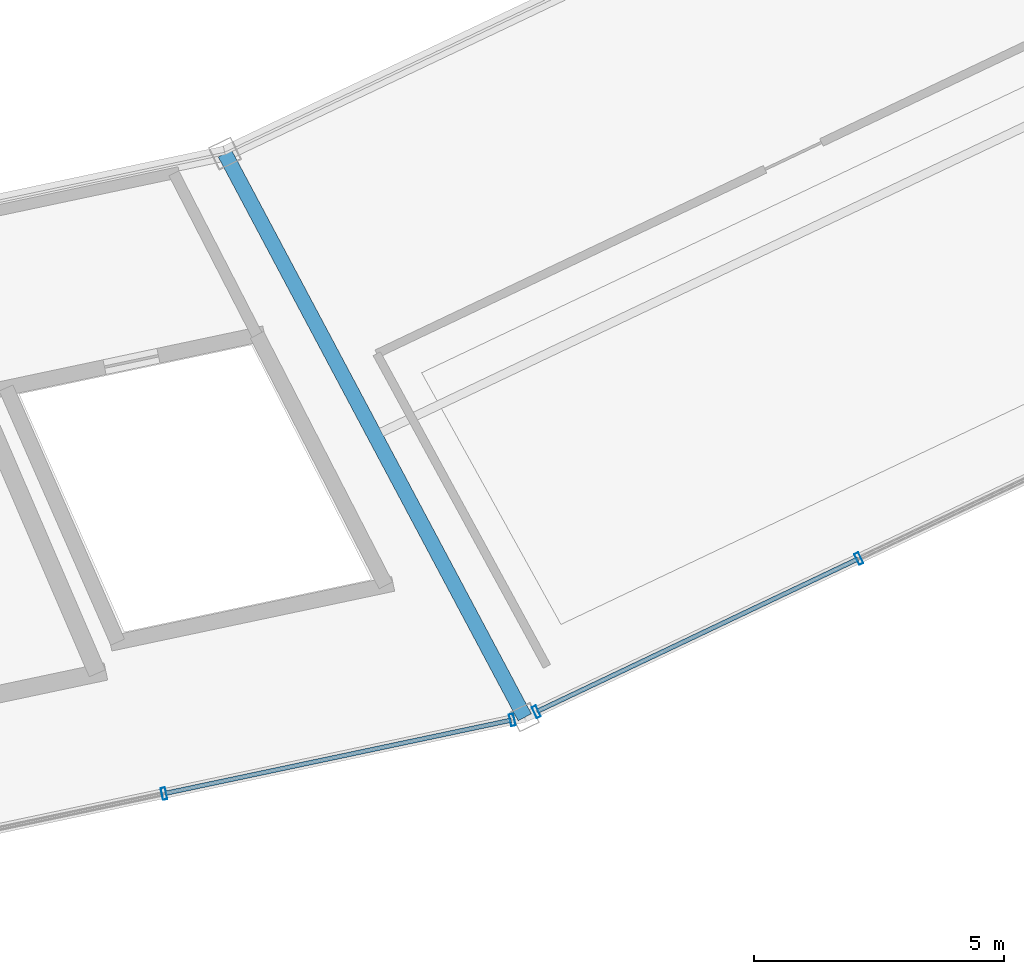
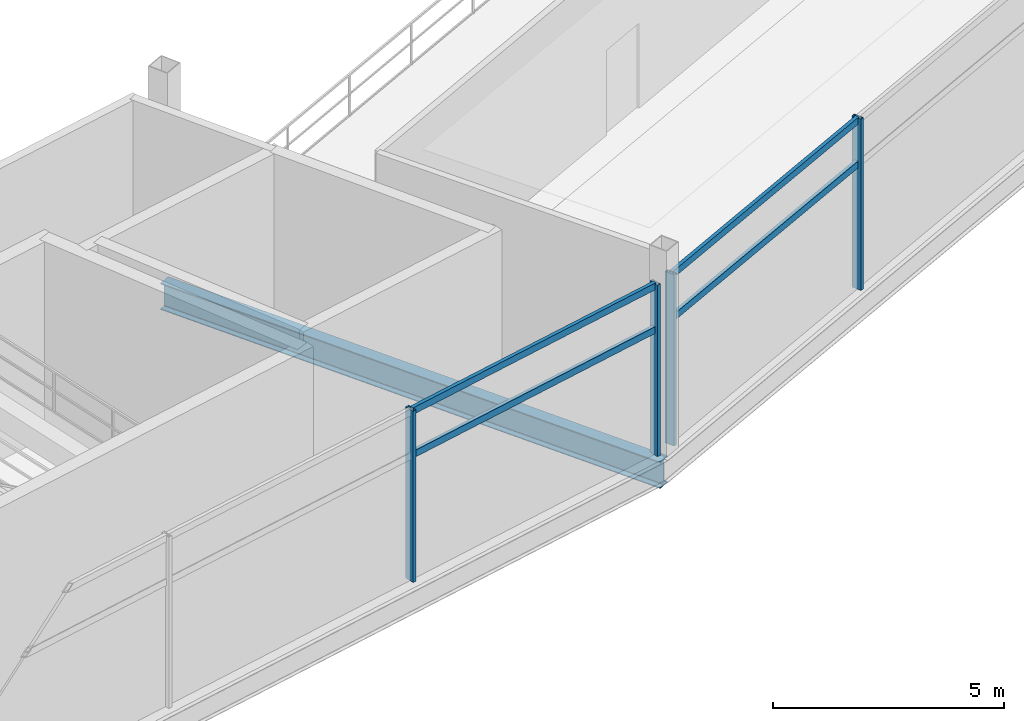
# One storey, part 43 of 103: 8 members, 1 beam, 2 elements without a shape of their own.
"""IFC4 building model written with IfcOpenShell, lengths in metres."""

from ifc_helpers import new_model, si_unit, direction, frame, origin, origin_2d, place, context, subcontext, project, spatial, hollow_rectangle, i_section, extrude, material, layer, layer_set, material_profile, profile_set, type_object, element, aggregate, save


model = new_model("IFC4")

# Units and contexts
model_context = context("Model", 3, precision=1e-05, world=origin(), true_north=direction((0.0, 1.0)))
body_context = subcontext(model_context, "Body", "Model", "MODEL_VIEW")
ifc_project = project(units=[si_unit("LENGTHUNIT", "METRE"), si_unit("AREAUNIT", "SQUARE_METRE"), si_unit("VOLUMEUNIT", "CUBIC_METRE"), si_unit("PLANEANGLEUNIT", "RADIAN"), si_unit("MASSUNIT", "GRAM", prefix="KILO")], contexts=[model_context])

# Site, building, storey
site_placement = place(None, origin())
site = spatial("IfcSite", under=ifc_project, at=site_placement, CompositionType="ELEMENT")
building_placement = place(site_placement, origin())
building = spatial("IfcBuilding", under=site, at=building_placement, Name="Kazemori Nagisa Stadium", CompositionType="ELEMENT")
storey_placement = place(building_placement, frame((0.0, 0.0, 25.840087890625)))
storey = spatial("IfcBuildingStorey", under=building, at=storey_placement, Name="L05", CompositionType="ELEMENT", Elevation=25.840087890625)

# Beam
ifc_material_1 = material(Name="Steel SN490B", Category="steel")
ifc_material_profile_1 = material_profile(ifc_material_1, i_section(OverallWidth=0.300048828125, OverallDepth=0.699951171875, WebThickness=0.012939453125, FlangeThickness=0.02392578125, FilletRadius=0.01806640625, at=origin_2d()), Name="H-700x300x13x24")
ifc_profile_set_1 = profile_set([ifc_material_profile_1], Name="Steel SN490B")
beam_type = type_object("IfcBeamType", Name="Beam_BG-H700", PredefinedType="BEAM", material=ifc_profile_set_1)
beam_placement = place(storey_placement, frame((159.81201171875, 32.80078125, -0.610107421875), z_axis=(0.469648511848, -0.882853484628, 0.0), x_axis=(0.882853484628, 0.469648511848, 0.0)))
element("IfcBeam", 1, at=beam_placement, inside=storey, type_object=beam_type, Name="Radial girder BG-H700 L05 R2-R3-24", PredefinedType="BEAM", context=body_context, shape_type="SweptSolid", body=[
    extrude(i_section(OverallWidth=0.300048828125, OverallDepth=0.699951171875, WebThickness=0.012939453125, FlangeThickness=0.02392578125, FilletRadius=0.01806640625, at=origin_2d()), origin(), (0.0, 0.0, 1.0), 12.760009765625),
])

# Curtain wall, members
ifc_material_2 = material(Name="Anodised aluminium 6063-T5", Category="aluminium")
ifc_layer = layer(ifc_material_2, 0.239990234375, Name="Anodised aluminium 6063-T5", Category="aluminium")
ifc_layer_set = layer_set([ifc_layer], Name="Anodised aluminium 6063-T5")
curtain_wall_type = type_object("IfcCurtainWallType", Name="CW_L05R3_107", PredefinedType="USERDEFINED", material=ifc_layer_set)
curtain_wall_1_placement = place(storey_placement, origin())
curtain_wall_1 = element("IfcCurtainWall", 2, at=curtain_wall_1_placement, inside=storey, type_object=curtain_wall_type, Name="Unitised curtain wall CW-L05R3-107 L05", ObjectType="UNITISED CURTAIN WALL", PredefinedType="USERDEFINED")
ifc_material_3 = material(Name="Aluminium 6063-T5 anodised", Category="aluminium")
ifc_material_profile_2 = material_profile(ifc_material_3, hollow_rectangle(XDim=0.090087890625, YDim=0.239990234375, WallThickness=0.0048828125, at=origin_2d()), Name="ALU-MULL-90x240x5")
ifc_profile_set_2 = profile_set([ifc_material_profile_2], Name="Aluminium 6063-T5 anodised")
member_type_1 = type_object("IfcMemberType", Name="Mullion_M03", PredefinedType="MULLION", material=ifc_profile_set_2)
member_1_placement = place(storey_placement, frame((158.595947265625, 20.0107421875, 0.0), z_axis=(0.0, 0.0, 1.0), x_axis=(0.978344955407, 0.206981033502, 0.0)))
member_1 = element("IfcMember", 3, at=member_1_placement, type_object=member_type_1, Name="Curtain wall mullion CW-L05R3-107-M3", PredefinedType="MULLION", context=body_context, shape_type="SweptSolid", body=[
    extrude(hollow_rectangle(XDim=0.090087890625, YDim=0.239990234375, WallThickness=0.0048828125, at=origin_2d()), origin(), (0.0, 0.0, 1.0), 4.530029296875),
])
member_2_placement = place(storey_placement, frame((165.55517578125, 21.48291015625, 0.0), z_axis=(0.0, 0.0, 1.0), x_axis=(0.978344955407, 0.206981033502, 0.0)))
member_2 = element("IfcMember", 4, at=member_2_placement, type_object=member_type_1, Name="Curtain wall mullion CW-L05R3-107-M4", PredefinedType="MULLION", context=body_context, shape_type="SweptSolid", body=[
    extrude(hollow_rectangle(XDim=0.090087890625, YDim=0.239990234375, WallThickness=0.0048828125, at=origin_2d()), origin(), (0.0, 0.0, 1.0), 4.530029296875),
])

curtain_wall_2_placement = place(storey_placement, origin())
curtain_wall_2 = element("IfcCurtainWall", 5, at=curtain_wall_2_placement, inside=storey, type_object=curtain_wall_type, Name="Unitised curtain wall CW-L05R3-107 L05", ObjectType="UNITISED CURTAIN WALL", PredefinedType="USERDEFINED")
member_3_placement = place(storey_placement, frame((166.03515625, 21.645263671875, 0.0), z_axis=(0.0, 0.0, 1.0), x_axis=(0.903215892654, 0.429186499388, 0.0)))
member_3 = element("IfcMember", 6, at=member_3_placement, type_object=member_type_1, Name="Curtain wall mullion CW-L05R3-107-M1", PredefinedType="MULLION", context=body_context, shape_type="SweptSolid", body=[
    extrude(hollow_rectangle(XDim=0.090087890625, YDim=0.239990234375, WallThickness=0.0048828125, at=origin_2d()), origin(), (0.0, 0.0, 1.0), 4.530029296875),
])
member_4_placement = place(storey_placement, frame((172.479248046875, 24.707275390625, 0.0), z_axis=(0.0, 0.0, 1.0), x_axis=(0.903215892654, 0.429186499388, 0.0)))
member_4 = element("IfcMember", 7, at=member_4_placement, type_object=member_type_1, Name="Curtain wall mullion CW-L05R3-107-M2", PredefinedType="MULLION", context=body_context, shape_type="SweptSolid", body=[
    extrude(hollow_rectangle(XDim=0.090087890625, YDim=0.239990234375, WallThickness=0.0048828125, at=origin_2d()), origin(), (0.0, 0.0, 1.0), 4.530029296875),
])

# Member
ifc_material_profile_3 = material_profile(ifc_material_3, hollow_rectangle(XDim=0.090087890625, YDim=0.179931640625, WallThickness=0.0048828125, at=origin_2d()), Name="ALU-TRAN-90x180x5")
ifc_profile_set_3 = profile_set([ifc_material_profile_3], Name="Aluminium 6063-T5 anodised")
member_type_2 = type_object("IfcMemberType", Name="Transom_T03", PredefinedType="USERDEFINED", material=ifc_profile_set_3)
member_5_placement = place(storey_placement, frame((158.615478515625, 20.0146484375, 3.306884765625), z_axis=(0.97834311718, 0.206989722128, 0.0), x_axis=(-0.206989722128, 0.97834311718, 0.0)))
member_5 = element("IfcMember", 8, at=member_5_placement, type_object=member_type_2, Name="Curtain wall transom CW-L05R3-107-T3-mid", ObjectType="TRANSOM", PredefinedType="USERDEFINED", context=body_context, shape_type="SweptSolid", body=[
    extrude(hollow_rectangle(XDim=0.090087890625, YDim=0.179931640625, WallThickness=0.0048828125, at=origin_2d()), origin(), (0.0, 0.0, 1.0), 7.0732421875),
])

member_6_placement = place(storey_placement, frame((158.615478515625, 20.0146484375, 4.4599609375), z_axis=(0.97834311718, 0.206989722128, 0.0), x_axis=(-0.206989722128, 0.97834311718, 0.0)))
member_6 = element("IfcMember", 9, at=member_6_placement, type_object=member_type_2, Name="Curtain wall transom CW-L05R3-107-T3-head", ObjectType="TRANSOM", PredefinedType="USERDEFINED", context=body_context, shape_type="SweptSolid", body=[
    extrude(hollow_rectangle(XDim=0.090087890625, YDim=0.179931640625, WallThickness=0.0048828125, at=origin_2d()), origin(), (0.0, 0.0, 1.0), 7.0732421875),
])

aggregate(curtain_wall_1, [member_1, member_2, member_5, member_6])

member_7_placement = place(storey_placement, frame((166.05322265625, 21.65380859375, 3.306884765625), z_axis=(0.903215145866, 0.429188070989, 0.0), x_axis=(-0.429188070989, 0.903215145866, 0.0)))
member_7 = element("IfcMember", 10, at=member_7_placement, type_object=member_type_2, Name="Curtain wall transom CW-L05R3-107-T1-mid", ObjectType="TRANSOM", PredefinedType="USERDEFINED", context=body_context, shape_type="SweptSolid", body=[
    extrude(hollow_rectangle(XDim=0.090087890625, YDim=0.179931640625, WallThickness=0.0048828125, at=origin_2d()), origin(), (0.0, 0.0, 1.0), 7.0947265625),
])

member_8_placement = place(storey_placement, frame((166.05322265625, 21.65380859375, 4.4599609375), z_axis=(0.903215145866, 0.429188070989, 0.0), x_axis=(-0.429188070989, 0.903215145866, 0.0)))
member_8 = element("IfcMember", 11, at=member_8_placement, type_object=member_type_2, Name="Curtain wall transom CW-L05R3-107-T1-head", ObjectType="TRANSOM", PredefinedType="USERDEFINED", context=body_context, shape_type="SweptSolid", body=[
    extrude(hollow_rectangle(XDim=0.090087890625, YDim=0.179931640625, WallThickness=0.0048828125, at=origin_2d()), origin(), (0.0, 0.0, 1.0), 7.0947265625),
])

aggregate(curtain_wall_2, [member_3, member_4, member_7, member_8])

save(model, "model.ifc")
